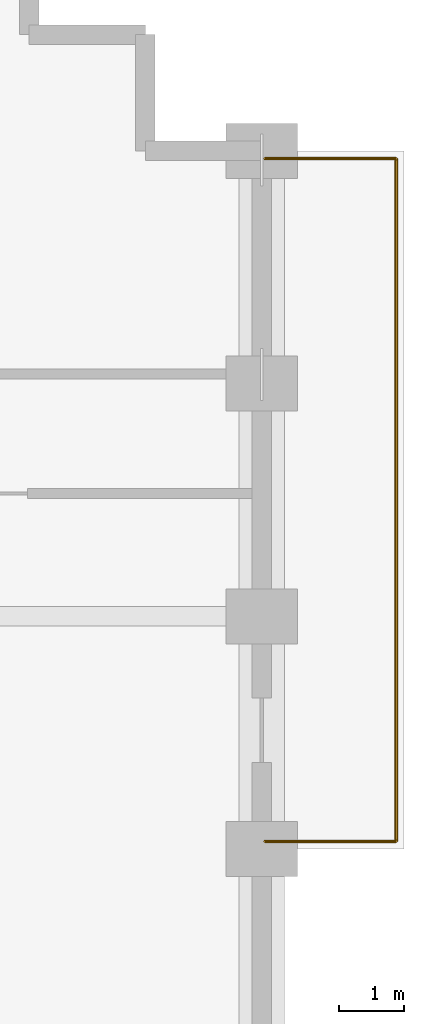
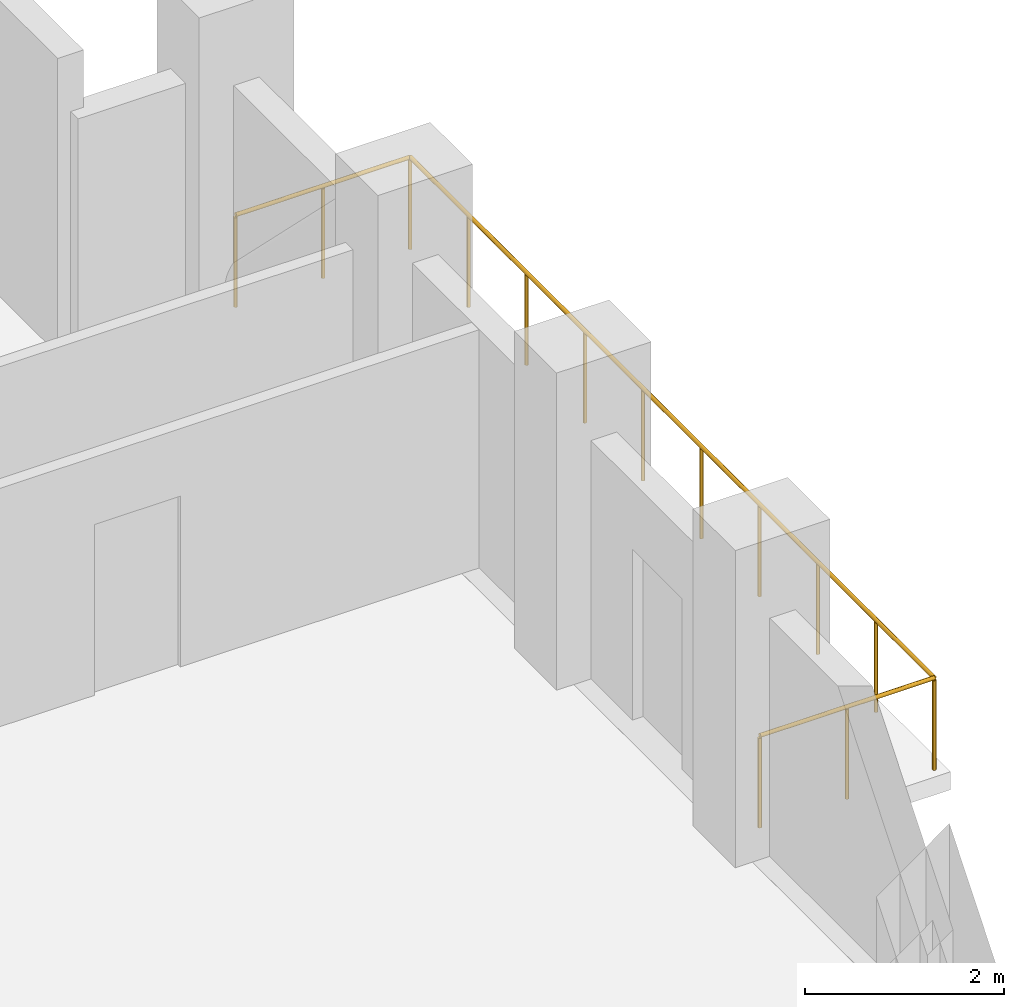
# One storey, part 8 of 8: 3 railings.
"""IFC4 building model written with IfcOpenShell, lengths in metres."""

from ifc_helpers import new_model, si_unit, direction, frame, origin, origin_2d, place, context, subcontext, project, spatial, circle, extrude, material, type_object, element, save


model = new_model("IFC4")

# Units and contexts
model_context = context("Model", 3, precision=1e-05, world=origin(), true_north=direction((0.0, 1.0)))
body_context = subcontext(model_context, "Body", "Model", "MODEL_VIEW")
ifc_project = project(units=[si_unit("LENGTHUNIT", "METRE"), si_unit("AREAUNIT", "SQUARE_METRE"), si_unit("VOLUMEUNIT", "CUBIC_METRE"), si_unit("PLANEANGLEUNIT", "RADIAN"), si_unit("MASSUNIT", "GRAM", prefix="KILO")], contexts=[model_context])

# Site, building, storey
site_placement = place(None, origin())
site = spatial("IfcSite", under=ifc_project, at=site_placement, CompositionType="ELEMENT")
building_placement = place(site_placement, origin())
building = spatial("IfcBuilding", under=site, at=building_placement, Name="Solnavia Interchange Tower", CompositionType="ELEMENT")
storey_placement = place(building_placement, frame((0.0, 0.0, 107.39990234375)))
storey = spatial("IfcBuildingStorey", under=building, at=storey_placement, Name="L26", CompositionType="ELEMENT", Elevation=107.39990234375)

# Railings
ifc_material = material(Name="Laminated Safety Glass & Stainless Steel", Category="steel")
railing_type = type_object("IfcRailingType", Name="Railing-TerraceGuard-1150", PredefinedType="GUARDRAIL", material=ifc_material)
railing_1_placement = place(storey_placement, frame((57.64990234375, 10.919921875, -0.039794921875)))
element("IfcRailing", 1, at=railing_1_placement, inside=storey, type_object=railing_type, Name="GRD-L26-TER-01 Perimeter terrace guardrail", PredefinedType="GUARDRAIL", context=body_context, shape_type="SweptSolid", body=[
    extrude(circle(Radius=0.02392578125, at=origin_2d()), frame((0.0, 0.0, 1.1259765625), z_axis=(1.0, 0.0, 0.0), x_axis=(0.0, 1.0, 0.0)), (0.0, 0.0, 1.0), 2.030029296875),
    extrude(circle(Radius=0.02099609375, at=origin_2d()), origin(), (0.0, 0.0, 1.0), 1.101806640625),
    extrude(circle(Radius=0.02099609375, at=origin_2d()), frame((1.01513671875, 0.0, 0.0)), (0.0, 0.0, 1.0), 1.101806640625),
    extrude(circle(Radius=0.02099609375, at=origin_2d()), frame((2.030029296875, 0.0, 0.0)), (0.0, 0.0, 1.0), 1.101806640625),
])
railing_2_placement = place(storey_placement, frame((59.679931640625, 10.919921875, -0.039794921875)))
element("IfcRailing", 2, at=railing_2_placement, inside=storey, type_object=railing_type, Name="GRD-L26-TER-02 Perimeter terrace guardrail", PredefinedType="GUARDRAIL", context=body_context, shape_type="SweptSolid", body=[
    extrude(circle(Radius=0.02392578125, at=origin_2d()), frame((0.0, 0.0, 1.1259765625), z_axis=(0.0, 1.0, 0.0), x_axis=(-1.0, 0.0, 0.0)), (0.0, 0.0, 1.0), 10.56005859375),
    extrude(circle(Radius=0.02099609375, at=origin_2d()), origin(), (0.0, 0.0, 1.0), 1.101806640625),
    extrude(circle(Radius=0.02099609375, at=origin_2d()), frame((0.0, 1.17333984375, 0.0)), (0.0, 0.0, 1.0), 1.101806640625),
    extrude(circle(Radius=0.02099609375, at=origin_2d()), frame((0.0, 2.3466796875, 0.0)), (0.0, 0.0, 1.0), 1.101806640625),
    extrude(circle(Radius=0.02099609375, at=origin_2d()), frame((0.0, 3.52001953125, 0.0)), (0.0, 0.0, 1.0), 1.101806640625),
    extrude(circle(Radius=0.02099609375, at=origin_2d()), frame((0.0, 4.693359375, 0.0)), (0.0, 0.0, 1.0), 1.101806640625),
    extrude(circle(Radius=0.02099609375, at=origin_2d()), frame((0.0, 5.86669921875, 0.0)), (0.0, 0.0, 1.0), 1.101806640625),
    extrude(circle(Radius=0.02099609375, at=origin_2d()), frame((0.0, 7.0400390625, 0.0)), (0.0, 0.0, 1.0), 1.101806640625),
    extrude(circle(Radius=0.02099609375, at=origin_2d()), frame((0.0, 8.21337890625, 0.0)), (0.0, 0.0, 1.0), 1.101806640625),
    extrude(circle(Radius=0.02099609375, at=origin_2d()), frame((0.0, 9.38671875, 0.0)), (0.0, 0.0, 1.0), 1.101806640625),
    extrude(circle(Radius=0.02099609375, at=origin_2d()), frame((0.0, 10.56005859375, 0.0)), (0.0, 0.0, 1.0), 1.101806640625),
])
railing_3_placement = place(storey_placement, frame((59.679931640625, 21.47998046875, -0.039794921875)))
element("IfcRailing", 3, at=railing_3_placement, inside=storey, type_object=railing_type, Name="GRD-L26-TER-03 Perimeter terrace guardrail", PredefinedType="GUARDRAIL", context=body_context, shape_type="SweptSolid", body=[
    extrude(circle(Radius=0.02392578125, at=origin_2d()), frame((0.0, 0.0, 1.1259765625), z_axis=(-1.0, 0.0, 0.0), x_axis=(0.0, -1.0, 0.0)), (0.0, 0.0, 1.0), 2.030029296875),
    extrude(circle(Radius=0.02099609375, at=origin_2d()), origin(), (0.0, 0.0, 1.0), 1.101806640625),
    extrude(circle(Radius=0.02099609375, at=origin_2d()), frame((-1.01513671875, 0.0, 0.0)), (0.0, 0.0, 1.0), 1.101806640625),
    extrude(circle(Radius=0.02099609375, at=origin_2d()), frame((-2.030029296875, 0.0, 0.0)), (0.0, 0.0, 1.0), 1.101806640625),
])

save(model, "model.ifc")
